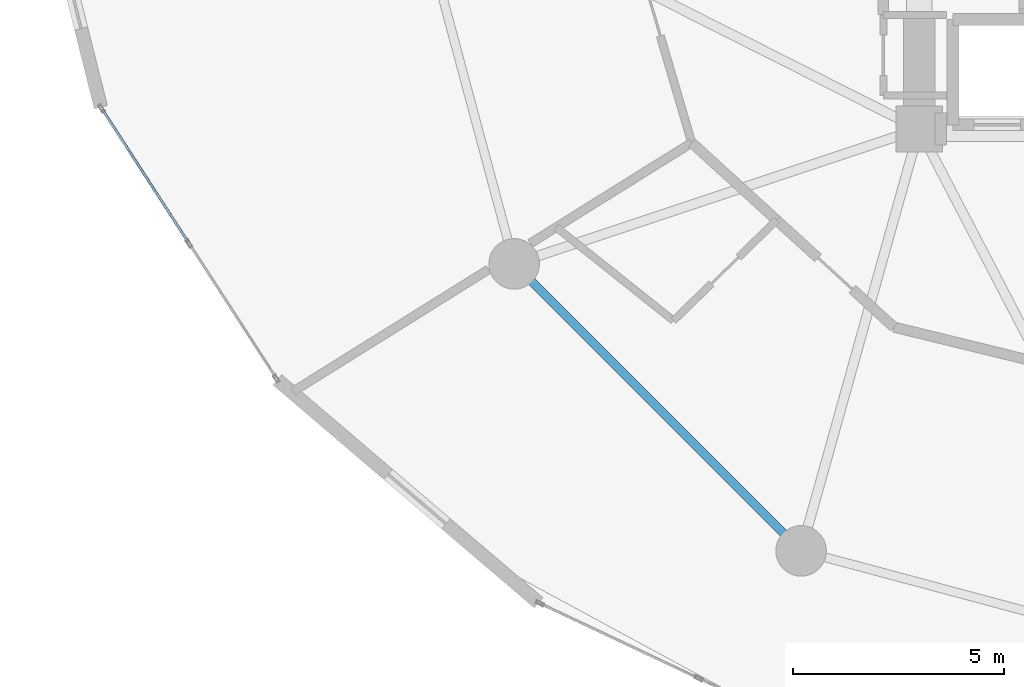
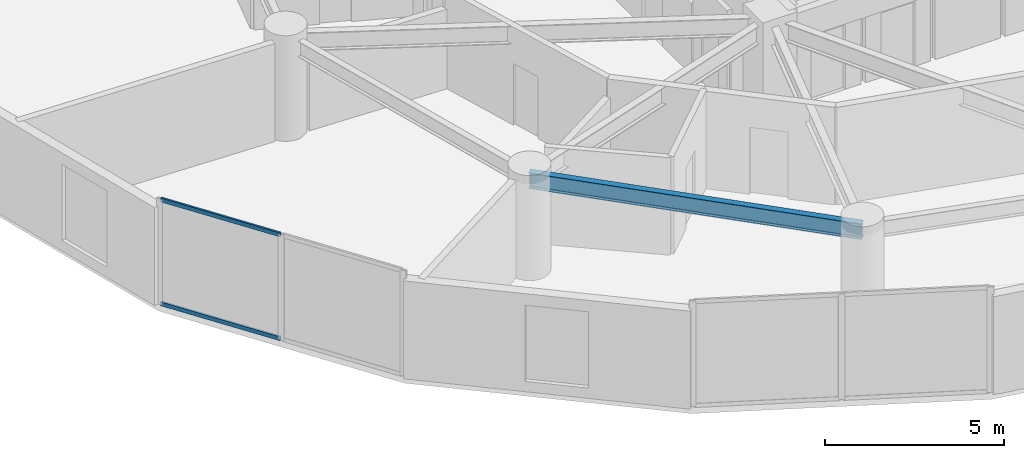
# One storey, part 3 of 26: 2 members, 1 beam, 1 element without a shape of its own.
"""IFC4 building model written with IfcOpenShell, lengths in metres."""

import ifcopenshell
import ifcopenshell.guid

model = None  # the IFC model being written
_history = None  # IfcOwnerHistory: only IFC2X3 demands one
_inside = {}  # id of a spatial element -> (the spatial element, [elements in it])
_under = {}  # id of a project, library or spatial element -> (it, [spatial elements below it])
_declared = {}  # id of a project -> (the project, [libraries it declares])
_typed = {}  # id of a type object -> (the type object, [elements of that type])
_made_of = {}  # id of a material, layer set ... -> (it, [elements and type objects made of it])


def new_model(schema):
    """Start an empty IFC model of exactly this schema.

    Asked for "IFC4X3", IfcOpenShell would pick the latest addendum, in which some entities
    have other attributes; the version numbers below select the first issue.
    IFC2X3 requires an IfcOwnerHistory on every rooted entity: one is made here for all.
    """
    global model, _history
    if schema == "IFC4X3":
        model = ifcopenshell.file(schema_version=(4, 3, 0, 0))
    else:
        model = ifcopenshell.file(schema=schema)
    _inside.clear()
    _under.clear()
    _declared.clear()
    _typed.clear()
    _made_of.clear()
    _history = None
    if model.schema == "IFC2X3":
        org = make("IfcOrganization", Name="unknown")
        user = make(
            "IfcPersonAndOrganization",
            ThePerson=make("IfcPerson", FamilyName="unknown"),
            TheOrganization=org,
        )
        app = make(
            "IfcApplication",
            ApplicationDeveloper=org,
            Version="unknown",
            ApplicationFullName="unknown",
            ApplicationIdentifier="unknown",
        )
        _history = make(
            "IfcOwnerHistory",
            OwningUser=user,
            OwningApplication=app,
            ChangeAction="ADDED",
            CreationDate=0,
        )
    return model


def make(cls, **values):
    """One entity of the class cls with the attributes given. An attribute that is None is left unset."""
    return model.create_entity(
        cls, **{name: value for name, value in values.items() if value is not None}
    )


def rooted(cls, **values):
    """An entity with a GlobalId (a new one), such as an element, a storey or a relation."""
    return make(cls, GlobalId=ifcopenshell.guid.new(), OwnerHistory=_history, **values)


def si_unit(unit_type, name, prefix=None):
    """IfcSIUnit, for example si_unit("LENGTHUNIT", "METRE", prefix="MILLI")."""
    return make("IfcSIUnit", UnitType=unit_type, Prefix=prefix, Name=name)


def assignment(units):
    """IfcUnitAssignment: the units of a project."""
    return None if units is None else make("IfcUnitAssignment", Units=units)


def point(xyz):
    """IfcCartesianPoint."""
    return None if xyz is None else make("IfcCartesianPoint", Coordinates=xyz)


def direction(xyz):
    """IfcDirection."""
    return None if xyz is None else make("IfcDirection", DirectionRatios=xyz)


def frame(location, z_axis=None, x_axis=None):
    """IfcAxis2Placement3D, a coordinate frame: its origin and axes. An axis left out is left unset."""
    return make(
        "IfcAxis2Placement3D",
        Location=point(location),
        Axis=direction(z_axis),
        RefDirection=direction(x_axis),
    )


def frame_2d(location, x_axis=None):
    """IfcAxis2Placement2D, a coordinate frame in the plane: its origin and x axis."""
    return make(
        "IfcAxis2Placement2D", Location=point(location), RefDirection=direction(x_axis)
    )


def origin():
    """The frame at (0, 0, 0) with its axes left unset."""
    return frame((0.0, 0.0, 0.0))


def origin_2d():
    """The frame at (0, 0) in the plane with its x axis left unset."""
    return frame_2d((0.0, 0.0))


def place(relative_to, where):
    """IfcLocalPlacement: puts the frame where relative to a parent placement (None: the world)."""
    return make(
        "IfcLocalPlacement", PlacementRelTo=relative_to, RelativePlacement=where
    )


def context(
    kind, dimensions, precision=None, world=None, true_north=None, identifier=None
):
    """IfcGeometricRepresentationContext, for example the 3D "Model" context."""
    return make(
        "IfcGeometricRepresentationContext",
        ContextIdentifier=identifier,
        ContextType=kind,
        CoordinateSpaceDimension=dimensions,
        Precision=precision,
        WorldCoordinateSystem=world,
        TrueNorth=true_north,
    )


def subcontext(parent, identifier, kind, view, scale=None):
    """IfcGeometricRepresentationSubContext, for example "Body" below "Model"."""
    return make(
        "IfcGeometricRepresentationSubContext",
        ContextIdentifier=identifier,
        ContextType=kind,
        ParentContext=parent,
        TargetScale=scale,
        TargetView=view,
    )


def project(units=None, contexts=None):
    """IfcProject with its units and contexts."""
    return rooted(
        "IfcProject",
        Name="project",
        RepresentationContexts=contexts,
        UnitsInContext=assignment(units),
    )


def spatial(cls, under=None, at=None, **own):
    """A site, building, storey or space (cls), placed at a placement, below another one or the project."""
    s = rooted(cls, ObjectPlacement=at, **own)
    if under is not None:
        _under.setdefault(under.id(), (under, []))[1].append(s)
    return s


def profile(cls, at=None, kind="AREA", **sizes):
    """A parametric profile (cls). Its sizes go by their IFC names, for example OverallWidth=200.0."""
    return make(cls, ProfileType=kind, Position=at, **sizes)


def hollow_rectangle(**sizes):
    """IfcRectangleHollowProfileDef."""
    return profile("IfcRectangleHollowProfileDef", **sizes)


def i_section(**sizes):
    """IfcIShapeProfileDef."""
    return profile("IfcIShapeProfileDef", **sizes)


def extrude(swept, where, along, depth):
    """IfcExtrudedAreaSolid: the profile swept, set in the frame where, extruded along a direction by depth."""
    return make(
        "IfcExtrudedAreaSolid",
        SweptArea=swept,
        Position=where,
        ExtrudedDirection=direction(along),
        Depth=depth,
    )


def shape(context_of_items, identifier, shape_type, items):
    """IfcShapeRepresentation: the items that make up one representation, for example the "Body"."""
    return make(
        "IfcShapeRepresentation",
        ContextOfItems=context_of_items,
        RepresentationIdentifier=identifier,
        RepresentationType=shape_type,
        Items=items,
    )


def source(mapping_origin, context_of_items, identifier, shape_type, items):
    """IfcRepresentationMap: a shape defined once, which mapped items show again and again."""
    return make(
        "IfcRepresentationMap",
        MappingOrigin=mapping_origin,
        MappedRepresentation=shape(context_of_items, identifier, shape_type, items),
    )


def transform(
    local_origin,
    x_axis=None,
    y_axis=None,
    z_axis=None,
    scale=None,
    scale2=None,
    scale3=None,
    uniform=True,
):
    """IfcCartesianTransformationOperator3D, or its non-uniform kind. x_axis, y_axis, z_axis: its Axis1, 2, 3."""
    if uniform:
        return make(
            "IfcCartesianTransformationOperator3D",
            Axis1=direction(x_axis),
            Axis2=direction(y_axis),
            LocalOrigin=point(local_origin),
            Scale=scale,
            Axis3=direction(z_axis),
        )
    return make(
        "IfcCartesianTransformationOperator3DnonUniform",
        Axis1=direction(x_axis),
        Axis2=direction(y_axis),
        LocalOrigin=point(local_origin),
        Scale=scale,
        Axis3=direction(z_axis),
        Scale2=scale2,
        Scale3=scale3,
    )


def mapped(mapping_source, mapping_target):
    """IfcMappedItem: shows the shape of a source again, moved by a transform."""
    return make(
        "IfcMappedItem", MappingSource=mapping_source, MappingTarget=mapping_target
    )


def material(Name=None, Category=None):
    """IfcMaterial."""
    return make("IfcMaterial", Name=Name, Category=Category)


def layer(
    of_material, thickness, ventilated=None, Name=None, Category=None, Priority=None
):
    """IfcMaterialLayer: one layer of a wall or slab, of a material (None: an air gap)."""
    return make(
        "IfcMaterialLayer",
        Material=of_material,
        LayerThickness=thickness,
        IsVentilated=ventilated,
        Name=Name,
        Category=Category,
        Priority=Priority,
    )


def layer_set(layers, Name=None):
    """IfcMaterialLayerSet."""
    return make("IfcMaterialLayerSet", MaterialLayers=layers, LayerSetName=Name)


def material_profile(
    of_material, cross_section, Name=None, Category=None, Priority=None
):
    """IfcMaterialProfile: a cross section and its material."""
    return make(
        "IfcMaterialProfile",
        Name=Name,
        Material=of_material,
        Profile=cross_section,
        Priority=Priority,
        Category=Category,
    )


def profile_set(profiles, Name=None, composite=None):
    """IfcMaterialProfileSet."""
    return make(
        "IfcMaterialProfileSet",
        Name=Name,
        MaterialProfiles=profiles,
        CompositeProfile=composite,
    )


def made_of(thing, what):
    """Note that an element or type object is made of a material, layer set ...; save() writes the relation."""
    if what is not None:
        _made_of.setdefault(what.id(), (what, []))[1].append(thing)
    return thing


def type_object(cls, material=None, **own):
    """A type object (cls), such as IfcWallType, which elements share."""
    return made_of(rooted(cls, **own), material)


def element(
    cls,
    number,
    at=None,
    inside=None,
    cuts=None,
    type_object=None,
    material=None,
    context=None,
    identifier="Body",
    shape_type=None,
    held_by="IfcProductDefinitionShape",
    body=None,
    shapes=None,
    **own,
):
    """One element of the class cls, such as IfcWall. Its Tag is "e" and its number.

    at: its placement. inside: the storey or other place that contains it. cuts: it is an
    opening in that element (IfcRelVoidsElement). A single representation is given by context,
    identifier, shape_type and body (its items); several are given by shapes. held_by: the class
    of the entity that holds the representations. save() writes the other relations.
    """
    e = rooted(cls, Tag="e%d" % number, ObjectPlacement=at, **own)
    if body is not None:
        shapes = [shape(context, identifier, shape_type, body)]
    if shapes is not None:
        e.Representation = make(held_by, Representations=shapes)
    if inside is not None:
        _inside.setdefault(inside.id(), (inside, []))[1].append(e)
    if cuts is not None:
        rooted(
            "IfcRelVoidsElement", RelatingBuildingElement=cuts, RelatedOpeningElement=e
        )
    if type_object is not None:
        _typed.setdefault(type_object.id(), (type_object, []))[1].append(e)
    return made_of(e, material)


def aggregate(whole, parts):
    """IfcRelAggregates: a whole, such as a stair, and the parts it consists of."""
    return rooted("IfcRelAggregates", RelatingObject=whole, RelatedObjects=parts)


def save(model, path):
    """Write the relations noted so far, then the file.

    IfcRelAggregates (storeys below a building ...), IfcRelContainedInSpatialStructure (elements
    in a storey), IfcRelDefinesByType, IfcRelAssociatesMaterial and IfcRelDeclares: one each for
    every whole, place, type object, material and project.
    """
    for whole, parts in _under.values():
        aggregate(whole, parts)
    for where, things in _inside.values():
        rooted(
            "IfcRelContainedInSpatialStructure",
            RelatedElements=things,
            RelatingStructure=where,
        )
    for kind, things in _typed.values():
        rooted("IfcRelDefinesByType", RelatedObjects=things, RelatingType=kind)
    for what, things in _made_of.values():
        rooted("IfcRelAssociatesMaterial", RelatedObjects=things, RelatingMaterial=what)
    for by, libraries in _declared.values():
        rooted("IfcRelDeclares", RelatingContext=by, RelatedDefinitions=libraries)
    model.write(path)


model = new_model("IFC4")

# Units and contexts
model_context = context("Model", 3, precision=1e-05, world=origin(), true_north=direction((0.0, 1.0)))
body_context = subcontext(model_context, "Body", "Model", "MODEL_VIEW")
ifc_project = project(units=[si_unit("LENGTHUNIT", "METRE"), si_unit("AREAUNIT", "SQUARE_METRE"), si_unit("VOLUMEUNIT", "CUBIC_METRE"), si_unit("PLANEANGLEUNIT", "RADIAN"), si_unit("MASSUNIT", "GRAM", prefix="KILO")], contexts=[model_context])

# Site, building, storey
site_placement = place(None, origin())
site = spatial("IfcSite", under=ifc_project, at=site_placement, CompositionType="ELEMENT")
building_placement = place(site_placement, origin())
building = spatial("IfcBuilding", under=site, at=building_placement, Name="Solvirekh Grand Hotel", CompositionType="ELEMENT")
storey_placement = place(building_placement, frame((0.0, 0.0, 68.0)))
storey = spatial("IfcBuildingStorey", under=building, at=storey_placement, Name="L16", CompositionType="ELEMENT", Elevation=68.0)

# Beam
ifc_material_1 = material(Name="Steel S355", Category="steel")
ifc_material_profile_1 = material_profile(ifc_material_1, i_section(OverallWidth=0.208984375, OverallDepth=0.532958984375, WebThickness=0.010009765625, FlangeThickness=0.014892578125, FilletRadius=0.013916015625, at=origin_2d()), Name="W530X92")
ifc_profile_set_1 = profile_set([ifc_material_profile_1], Name="Steel S355")
beam_type = type_object("IfcBeamType", Name="Spandrel_Ring_W530", PredefinedType="SPANDREL", material=ifc_profile_set_1)
beam_placement = place(storey_placement, frame((-16.10791015625, -9.300048828125, 3.073974609375), z_axis=(0.707106781187, -0.707106781187, 0.0), x_axis=(0.707106781187, 0.707106781187, 0.0)))
element("IfcBeam", 1, at=beam_placement, inside=storey, type_object=beam_type, Name="L16 perimeter spandrel beam 8", PredefinedType="SPANDREL", context=body_context, shape_type="SweptSolid", body=[
    extrude(i_section(OverallWidth=0.208984375, OverallDepth=0.532958984375, WebThickness=0.010009765625, FlangeThickness=0.014892578125, FilletRadius=0.013916015625, at=origin_2d()), origin(), (0.0, 0.0, 1.0), 9.627685546875),
])

# Curtain wall, members
ifc_material_2 = material(Name="Anodized Bronze Aluminium 6063-T6", Category="aluminium")
ifc_layer = layer(ifc_material_2, 0.18994140625)
ifc_layer_set = layer_set([ifc_layer], Name="Anodized Bronze Aluminium 6063-T6")
curtain_wall_type = type_object("IfcCurtainWallType", Name="CW_Sys2_LowZoneFlushBronzeCW", PredefinedType="NOTDEFINED", material=ifc_layer_set)
curtain_wall_placement = place(storey_placement, origin())
curtain_wall = element("IfcCurtainWall", 2, at=curtain_wall_placement, inside=storey, type_object=curtain_wall_type, Name="L16 unitised bronze-glass curtain wall CW-L16-C13", PredefinedType="NOTDEFINED")
ifc_material_profile_2 = material_profile(ifc_material_2, hollow_rectangle(XDim=0.06005859375, YDim=0.135009765625, WallThickness=0.00390625, at=origin_2d()), Name="ALU RHS 135X60X4")
ifc_profile_set_2 = profile_set([ifc_material_profile_2], Name="Anodized Bronze Aluminium 6063-T6")
member_type = type_object("IfcMemberType", Name="CWTransom_Sys2", PredefinedType="USERDEFINED", material=ifc_profile_set_2)
shared_shape = source(origin(), body_context, "Body", "SweptSolid", [
    extrude(hollow_rectangle(XDim=0.06005859375, YDim=0.135009765625, WallThickness=0.00390625, at=origin_2d()), origin(), (0.0, 0.0, 1.0), 3.74755859375),
])
member_1_placement = place(storey_placement, frame((-25.875, -5.641845703125, 0.030029296875), z_axis=(0.543267485557, -0.839559669789, 0.0), x_axis=(0.839559669789, 0.543267485557, 0.0)))
member_1 = element("IfcMember", 3, at=member_1_placement, type_object=member_type, Name="U02 transom 1.1", ObjectType="TRANSOM", PredefinedType="USERDEFINED", context=body_context, shape_type="MappedRepresentation", body=[
    mapped(shared_shape, transform((0.0, 0.0, 0.0), x_axis=(1.0, 0.0, 0.0), y_axis=(0.0, 1.0, 0.0), z_axis=(0.0, 0.0, 1.0), scale=1.0)),
])
member_2_placement = place(storey_placement, frame((-25.875, -5.641845703125, 3.570068359375), z_axis=(0.543267485557, -0.839559669789, 0.0), x_axis=(0.839559669789, 0.543267485557, 0.0)))
member_2 = element("IfcMember", 4, at=member_2_placement, type_object=member_type, Name="U02 transom 1.2", ObjectType="TRANSOM", PredefinedType="USERDEFINED", context=body_context, shape_type="MappedRepresentation", body=[
    mapped(shared_shape, transform((0.0, 0.0, 0.0), x_axis=(1.0, 0.0, 0.0), y_axis=(0.0, 1.0, 0.0), z_axis=(0.0, 0.0, 1.0), scale=1.0)),
])
aggregate(curtain_wall, [member_1, member_2])

save(model, "model.ifc")
